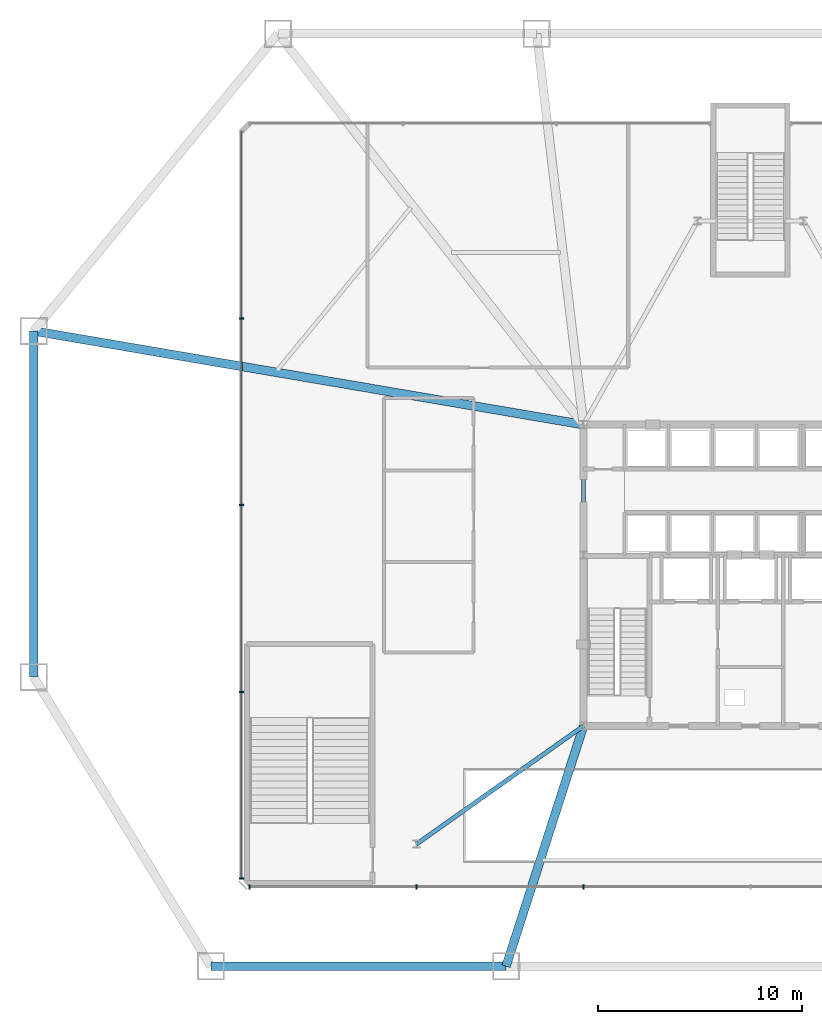
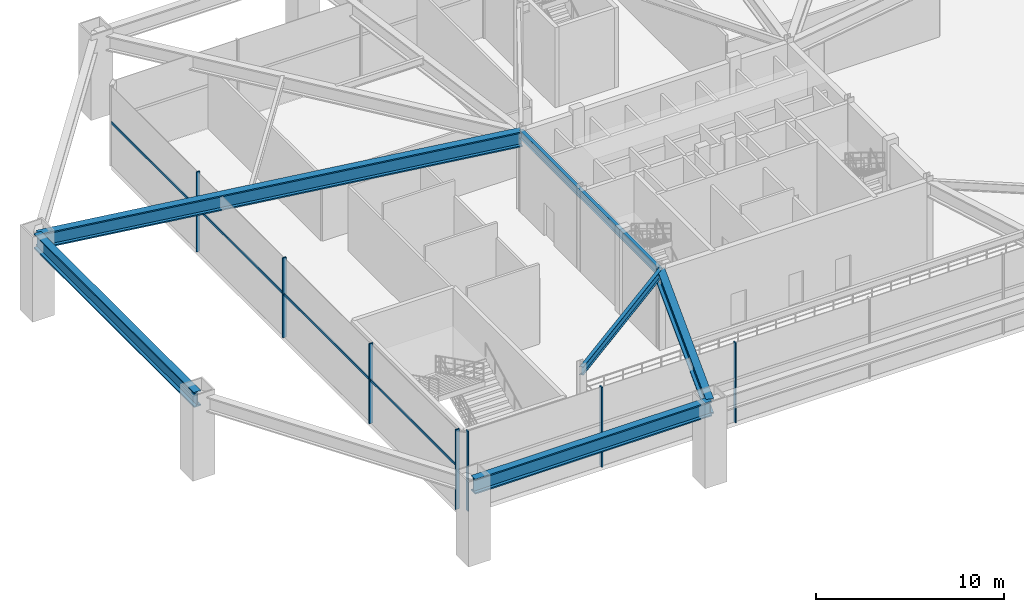
# One storey, part 5 of 18: 8 members, 6 beams, 2 elements without a shape of their own.
"""IFC4 building model written with IfcOpenShell, lengths in metres."""

from ifc_helpers import new_model, si_unit, direction, frame, origin, origin_2d, place, context, subcontext, project, spatial, rectangle, i_section, extrude, source, transform, mapped, material, layer, layer_set, material_profile, profile_set, type_object, type_shapes, element, aggregate, save


model = new_model("IFC4")

# Units and contexts
model_context = context("Model", 3, precision=1e-05, world=origin(), true_north=direction((0.0, 1.0)))
body_context = subcontext(model_context, "Body", "Model", "MODEL_VIEW")
ifc_project = project(units=[si_unit("LENGTHUNIT", "METRE"), si_unit("AREAUNIT", "SQUARE_METRE"), si_unit("VOLUMEUNIT", "CUBIC_METRE"), si_unit("PLANEANGLEUNIT", "RADIAN"), si_unit("MASSUNIT", "GRAM", prefix="KILO")], contexts=[model_context])

# Site, building, storey
site_placement = place(None, origin())
site = spatial("IfcSite", under=ifc_project, at=site_placement, CompositionType="ELEMENT")
building_placement = place(site_placement, origin())
building = spatial("IfcBuilding", under=site, at=building_placement, Name="Varakhsha Concourse Tower", CompositionType="ELEMENT")
storey_placement = place(building_placement, frame((0.0, 0.0, 5.5)))
storey = spatial("IfcBuildingStorey", under=building, at=storey_placement, Name="L02", CompositionType="ELEMENT", Elevation=5.5)

# Beams
ifc_material_1 = material(Name="Structural Steel ASTM A992 Grade 50", Category="steel")
ifc_material_profile_1 = material_profile(ifc_material_1, i_section(OverallWidth=0.2109375, OverallDepth=0.5390625, WebThickness=0.011962890625, FlangeThickness=0.01904296875, at=origin_2d()), Name="W21X73")
ifc_profile_set_1 = profile_set([ifc_material_profile_1], Name="Structural Steel ASTM A992 Grade 50")
beam_type_1 = type_object("IfcBeamType", Name="BM-RAD-W21X73", PredefinedType="BEAM", material=ifc_profile_set_1)
beam_1_placement = place(storey_placement, frame((31.800048828125, 16.39990234375, 4.910400390625), z_axis=(0.0, 1.0, 0.0), x_axis=(-1.0, 0.0, 0.0)))
element("IfcBeam", 1, at=beam_1_placement, inside=storey, type_object=beam_type_1, Name="BM-CORE-L02-CW", PredefinedType="BEAM", context=body_context, shape_type="SweptSolid", body=[
    extrude(i_section(OverallWidth=0.2109375, OverallDepth=0.5390625, WebThickness=0.011962890625, FlangeThickness=0.01904296875, at=origin_2d()), origin(), (0.0, 0.0, 1.0), 14.800048828125),
])
beam_2_placement = place(storey_placement, frame((31.800048828125, 16.39990234375, 4.910400390625), z_axis=(-0.816423186202, -0.577454051014, 0.0), x_axis=(0.577454051014, -0.816423186202, 0.0)))
element("IfcBeam", 2, at=beam_2_placement, inside=storey, type_object=beam_type_1, Name="BM-CORE-L02-SSW", PredefinedType="BEAM", context=body_context, shape_type="SweptSolid", body=[
    extrude(i_section(OverallWidth=0.2109375, OverallDepth=0.5390625, WebThickness=0.011962890625, FlangeThickness=0.01904296875, at=origin_2d()), origin(), (0.0, 0.0, 1.0), 10.043701171875),
])
ifc_material_profile_2 = material_profile(ifc_material_1, i_section(OverallWidth=0.427978515625, OverallDepth=0.97509765625, WebThickness=0.050048828125, FlangeThickness=0.0810546875, at=origin_2d()), Name="W36X395")
ifc_profile_set_2 = profile_set([ifc_material_profile_2], Name="Structural Steel ASTM A992 Grade 50")
beam_type_2 = type_object("IfcBeamType", Name="BM-XFER-W36X395", PredefinedType="USERDEFINED", material=ifc_profile_set_2)
beam_3_placement = place(storey_placement, frame((13.5, 4.60009765625, 4.6923828125), z_axis=(1.0, 0.0, 0.0), x_axis=(0.0, 1.0, 0.0)))
element("IfcBeam", 3, at=beam_3_placement, inside=storey, type_object=beam_type_2, Name="BM-PRING-L02-01", ObjectType="GIRDER", PredefinedType="USERDEFINED", context=body_context, shape_type="SweptSolid", body=[
    extrude(i_section(OverallWidth=0.427978515625, OverallDepth=0.97509765625, WebThickness=0.050048828125, FlangeThickness=0.0810546875, at=origin_2d()), origin(), (0.0, 0.0, 1.0), 14.5),
])
beam_4_placement = place(storey_placement, frame((4.800048828125, 35.800048828125, 4.6923828125), z_axis=(0.0, -1.0, 0.0), x_axis=(1.0, 0.0, 0.0)))
element("IfcBeam", 4, at=beam_4_placement, inside=storey, type_object=beam_type_2, Name="BM-PRING-L02-11", ObjectType="GIRDER", PredefinedType="USERDEFINED", context=body_context, shape_type="SweptSolid", body=[
    extrude(i_section(OverallWidth=0.427978515625, OverallDepth=0.97509765625, WebThickness=0.050048828125, FlangeThickness=0.0810546875, at=origin_2d()), origin(), (0.0, 0.0, 1.0), 17.0),
])
beam_5_placement = place(storey_placement, frame((31.800048828125, 16.39990234375, 4.6923828125), z_axis=(-0.306539531823, -0.951857928175, 0.0), x_axis=(0.951857928175, -0.306539531823, 0.0)))
element("IfcBeam", 5, at=beam_5_placement, inside=storey, type_object=beam_type_2, Name="BM-PRAD-L02-02", ObjectType="GIRDER", PredefinedType="USERDEFINED", context=body_context, shape_type="SweptSolid", body=[
    extrude(i_section(OverallWidth=0.427978515625, OverallDepth=0.97509765625, WebThickness=0.050048828125, FlangeThickness=0.0810546875, at=origin_2d()), origin(), (0.0, 0.0, 1.0), 12.396484375),
])
beam_6_placement = place(storey_placement, frame((31.800048828125, 31.199951171875, 4.6923828125), z_axis=(-0.985794867271, 0.167953802166, 0.0), x_axis=(-0.167953802166, -0.985794867271, 0.0)))
element("IfcBeam", 6, at=beam_6_placement, inside=storey, type_object=beam_type_2, Name="BM-PRAD-L02-11", ObjectType="GIRDER", PredefinedType="USERDEFINED", context=body_context, shape_type="SweptSolid", body=[
    extrude(i_section(OverallWidth=0.427978515625, OverallDepth=0.97509765625, WebThickness=0.050048828125, FlangeThickness=0.0810546875, at=origin_2d()), origin(), (0.0, 0.0, 1.0), 27.38916015625),
])

# Curtain wall, members
ifc_material_2 = material(Name="Anodised Bronze Architectural Aluminium AA 6063-T6", Category="aluminium")
ifc_layer = layer(ifc_material_2, 0.239990234375, Name="CW-SYS-01")
ifc_layer_set = layer_set([ifc_layer], Name="Anodised Bronze Architectural Aluminium AA 6063-T6")
curtain_wall_type = type_object("IfcCurtainWallType", Name="CW-SYS-01", PredefinedType="NOTDEFINED", material=ifc_layer_set)
curtain_wall_1_placement = place(storey_placement, origin())
curtain_wall_1 = element("IfcCurtainWall", 7, at=curtain_wall_1_placement, inside=storey, type_object=curtain_wall_type, Name="L02 Mezzanine Curtain Wall 01", PredefinedType="NOTDEFINED")
ifc_material_profile_3 = material_profile(ifc_material_2, rectangle(XDim=0.074951171875, YDim=0.219970703125, at=origin_2d()), Name="CWM-220X75")
ifc_profile_set_3 = profile_set([ifc_material_profile_3], Name="Anodised Bronze Architectural Aluminium AA 6063-T6")
member_type_1 = type_object("IfcMemberType", Name="CWM-220X75", PredefinedType="MULLION", material=ifc_profile_set_3)
shared_shape_1 = source(origin(), body_context, "Body", "SweptSolid", [
    extrude(rectangle(XDim=0.074951171875, YDim=0.219970703125, at=origin_2d()), origin(), (0.0, 0.0, 1.0), 5.179931640625),
])
type_shapes(member_type_1, [shared_shape_1])
member_1_placement = place(storey_placement, frame((15.39990234375, 8.5, 0.0), z_axis=(0.0, 0.0, 1.0), x_axis=(1.0, 0.0, 0.0)))
member_1 = element("IfcMember", 8, at=member_1_placement, type_object=member_type_1, Name="CW-L02-01 Mullion 00", PredefinedType="MULLION", context=body_context, shape_type="MappedRepresentation", body=[
    mapped(shared_shape_1, transform((0.0, 0.0, 0.0), scale=1.0)),
])
member_2_placement = place(storey_placement, frame((23.60009765625, 8.5, 0.0), z_axis=(0.0, 0.0, 1.0), x_axis=(1.0, 0.0, 0.0)))
member_2 = element("IfcMember", 9, at=member_2_placement, type_object=member_type_1, Name="CW-L02-01 Mullion 01", PredefinedType="MULLION", context=body_context, shape_type="MappedRepresentation", body=[
    mapped(shared_shape_1, transform((0.0, 0.0, 0.0), scale=1.0)),
])
member_3_placement = place(storey_placement, frame((31.800048828125, 8.5, 0.0), z_axis=(0.0, 0.0, 1.0), x_axis=(1.0, 0.0, 0.0)))
member_3 = element("IfcMember", 10, at=member_3_placement, type_object=member_type_1, Name="CW-L02-01 Mullion 02", PredefinedType="MULLION", context=body_context, shape_type="MappedRepresentation", body=[
    mapped(shared_shape_1, transform((0.0, 0.0, 0.0), scale=1.0)),
])
aggregate(curtain_wall_1, [member_1, member_2, member_3])

curtain_wall_2_placement = place(storey_placement, origin())
curtain_wall_2 = element("IfcCurtainWall", 11, at=curtain_wall_2_placement, inside=storey, type_object=curtain_wall_type, Name="L02 Mezzanine Curtain Wall 07", PredefinedType="NOTDEFINED")
member_4_placement = place(storey_placement, frame((15.0, 36.425048828125, 0.0), z_axis=(0.0, 0.0, 1.0), x_axis=(0.0, -1.0, 0.0)))
member_4 = element("IfcMember", 12, at=member_4_placement, type_object=member_type_1, Name="CW-L02-07 Mullion 01", PredefinedType="MULLION", context=body_context, shape_type="MappedRepresentation", body=[
    mapped(shared_shape_1, transform((0.0, 0.0, 0.0), scale=1.0)),
])
member_5_placement = place(storey_placement, frame((15.0, 27.25, 0.0), z_axis=(0.0, 0.0, 1.0), x_axis=(0.0, -1.0, 0.0)))
member_5 = element("IfcMember", 13, at=member_5_placement, type_object=member_type_1, Name="CW-L02-07 Mullion 02", PredefinedType="MULLION", context=body_context, shape_type="MappedRepresentation", body=[
    mapped(shared_shape_1, transform((0.0, 0.0, 0.0), scale=1.0)),
])
member_6_placement = place(storey_placement, frame((15.0, 18.074951171875, 0.0), z_axis=(0.0, 0.0, 1.0), x_axis=(0.0, -1.0, 0.0)))
member_6 = element("IfcMember", 14, at=member_6_placement, type_object=member_type_1, Name="CW-L02-07 Mullion 03", PredefinedType="MULLION", context=body_context, shape_type="MappedRepresentation", body=[
    mapped(shared_shape_1, transform((0.0, 0.0, 0.0), scale=1.0)),
])
member_7_placement = place(storey_placement, frame((15.0, 8.89990234375, 0.0), z_axis=(0.0, 0.0, 1.0), x_axis=(0.0, -1.0, 0.0)))
member_7 = element("IfcMember", 15, at=member_7_placement, type_object=member_type_1, Name="CW-L02-07 Mullion 04", PredefinedType="MULLION", context=body_context, shape_type="MappedRepresentation", body=[
    mapped(shared_shape_1, transform((0.0, 0.0, 0.0), scale=1.0)),
])
ifc_material_profile_4 = material_profile(ifc_material_2, rectangle(XDim=0.06494140625, YDim=0.159912109375, at=origin_2d()), Name="CWT-160X65")
ifc_profile_set_4 = profile_set([ifc_material_profile_4], Name="Anodised Bronze Architectural Aluminium AA 6063-T6")
member_type_2 = type_object("IfcMemberType", Name="CWT-160X65", PredefinedType="USERDEFINED", material=ifc_profile_set_4)
shared_shape_2 = source(origin(), body_context, "Body", "SweptSolid", [
    extrude(rectangle(XDim=0.06494140625, YDim=0.159912109375, at=origin_2d()), origin(), (0.0, 0.0, 1.0), 36.7001953125),
])
type_shapes(member_type_2, [shared_shape_2])
member_8_placement = place(storey_placement, frame((15.0, 45.60009765625, 2.800048828125), z_axis=(0.0, -1.0, 0.0), x_axis=(1.0, 0.0, 0.0)))
member_8 = element("IfcMember", 16, at=member_8_placement, type_object=member_type_2, Name="CW-L02-07 Transom 01", ObjectType="TRANSOM", PredefinedType="USERDEFINED", context=body_context, shape_type="MappedRepresentation", body=[
    mapped(shared_shape_2, transform((0.0, 0.0, 0.0), scale=1.0)),
])
aggregate(curtain_wall_2, [member_4, member_5, member_6, member_7, member_8])

save(model, "model.ifc")
